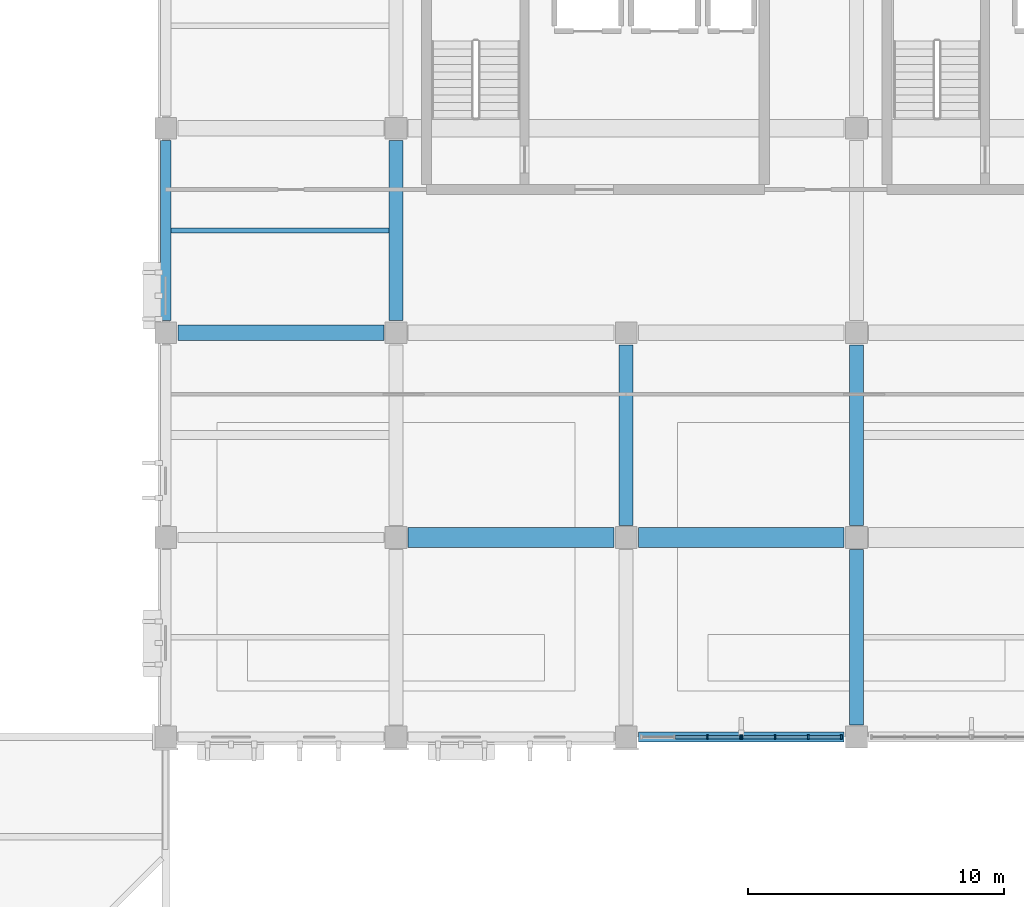
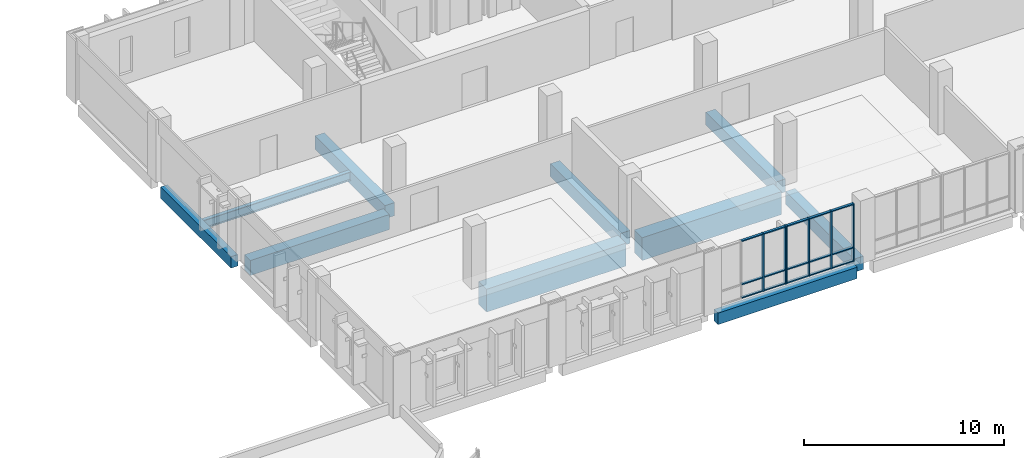
# One storey, part 29 of 85: 21 members, 10 beams, 2 elements without a shape of their own.
"""IFC4 building model written with IfcOpenShell, lengths in metres."""

from ifc_helpers import new_model, si_unit, direction, frame, origin, origin_2d, place, context, subcontext, project, spatial, rectangle, i_section, extrude, material, material_profile, profile_set, type_object, element, aggregate, save


model = new_model("IFC4")

# Units and contexts
model_context = context("Model", 3, precision=1e-05, world=origin(), true_north=direction((0.0, 1.0)))
body_context = subcontext(model_context, "Body", "Model", "MODEL_VIEW")
ifc_project = project(units=[si_unit("LENGTHUNIT", "METRE"), si_unit("AREAUNIT", "SQUARE_METRE"), si_unit("VOLUMEUNIT", "CUBIC_METRE"), si_unit("PLANEANGLEUNIT", "RADIAN"), si_unit("MASSUNIT", "GRAM", prefix="KILO")], contexts=[model_context])

# Site, building, storey
site_placement = place(None, origin())
site = spatial("IfcSite", under=ifc_project, at=site_placement, CompositionType="ELEMENT")
building_placement = place(site_placement, origin())
building = spatial("IfcBuilding", under=site, at=building_placement, Name="Vervanel Yard Central Library", CompositionType="ELEMENT")
storey_placement = place(building_placement, frame((0.0, 0.0, 5.10009765625)))
storey = spatial("IfcBuildingStorey", under=building, at=storey_placement, Name="L01", CompositionType="ELEMENT", Elevation=5.10009765625)

# Beams
ifc_material_1 = material(Name="Concrete C40/50", Category="concrete")
ifc_material_profile_1 = material_profile(ifc_material_1, rectangle(XDim=0.39990234375, YDim=0.699951171875, at=origin_2d()), Name="RC 400x700", Category="concrete")
ifc_profile_set_1 = profile_set([ifc_material_profile_1], Name="Concrete C40/50")
beam_type_1 = type_object("IfcBeamType", Name="Concrete Perimeter Spandrel 400x700", PredefinedType="SPANDREL", material=ifc_profile_set_1)
beam_1_placement = place(storey_placement, frame((54.47509765625, 82.199951171875, -0.655029296875), z_axis=(1.0, 0.0, 0.0), x_axis=(0.0, 1.0, 0.0)))
element("IfcBeam", 1, at=beam_1_placement, inside=storey, type_object=beam_type_1, Name="L01 Girder SP-01 Y=82.2 X=54.0-63.0", PredefinedType="SPANDREL", context=body_context, shape_type="SweptSolid", body=[
    extrude(rectangle(XDim=0.39990234375, YDim=0.699951171875, at=origin_2d()), origin(), (0.0, 0.0, 1.0), 8.0498046875),
])
beam_2_placement = place(storey_placement, frame((36.0, 98.47509765625, -0.655029296875), z_axis=(0.0, 1.0, 0.0), x_axis=(-1.0, 0.0, 0.0)))
element("IfcBeam", 2, at=beam_2_placement, inside=storey, type_object=beam_type_1, Name="L01 Girder SP-01 X=36.0 Y=98.0-106.0", PredefinedType="SPANDREL", context=body_context, shape_type="SweptSolid", body=[
    extrude(rectangle(XDim=0.39990234375, YDim=0.699951171875, at=origin_2d()), origin(), (0.0, 0.0, 1.0), 7.0498046875),
])
ifc_material_profile_2 = material_profile(ifc_material_1, rectangle(XDim=0.550048828125, YDim=0.800048828125, at=origin_2d()), Name="RC 550x800", Category="concrete")
ifc_profile_set_2 = profile_set([ifc_material_profile_2], Name="Concrete C40/50")
beam_type_2 = type_object("IfcBeamType", Name="Concrete Primary Girder 550x800", PredefinedType="BEAM", material=ifc_profile_set_2)
for number, where, z_axis, x_axis, name in (
    (3, (45.0, 98.47509765625, -0.705078125), (0.0, 1.0, 0.0), (-1.0, 0.0, 0.0), "L01 Girder CB-02 X=45.0 Y=98.0-106.0"),
    (4, (54.0, 90.47509765625, -0.705078125), (0.0, 1.0, 0.0), (-1.0, 0.0, 0.0), "L01 Girder CB-02 X=54.0 Y=90.0-98.0"),
):
    element("IfcBeam", number, at=place(storey_placement, frame(where, z_axis=z_axis, x_axis=x_axis)), inside=storey, type_object=beam_type_2, Name=name, PredefinedType="BEAM", context=body_context, shape_type="SweptSolid", body=[
        extrude(rectangle(XDim=0.550048828125, YDim=0.800048828125, at=origin_2d()), origin(), (0.0, 0.0, 1.0), 7.0498046875),
    ])
beam_3_placement = place(storey_placement, frame((63.0, 82.675048828125, -0.705078125), z_axis=(0.0, 1.0, 0.0), x_axis=(-1.0, 0.0, 0.0)))
element("IfcBeam", 5, at=beam_3_placement, inside=storey, type_object=beam_type_2, Name="L01 Girder CB-02 X=63.0 Y=82.2-90.0", PredefinedType="BEAM", context=body_context, shape_type="SweptSolid", body=[
    extrude(rectangle(XDim=0.550048828125, YDim=0.800048828125, at=origin_2d()), origin(), (0.0, 0.0, 1.0), 6.849853515625),
])
beam_4_placement = place(storey_placement, frame((63.0, 90.47509765625, -0.705078125), z_axis=(0.0, 1.0, 0.0), x_axis=(-1.0, 0.0, 0.0)))
element("IfcBeam", 6, at=beam_4_placement, inside=storey, type_object=beam_type_2, Name="L01 Girder CB-02 X=63.0 Y=90.0-98.0", PredefinedType="BEAM", context=body_context, shape_type="SweptSolid", body=[
    extrude(rectangle(XDim=0.550048828125, YDim=0.800048828125, at=origin_2d()), origin(), (0.0, 0.0, 1.0), 7.0498046875),
])
ifc_material_2 = material(Name="Concrete C45/55", Category="concrete")
ifc_material_profile_3 = material_profile(ifc_material_2, rectangle(XDim=0.60009765625, YDim=0.919921875, at=origin_2d()), Name="RC 600x920", Category="concrete")
ifc_profile_set_3 = profile_set([ifc_material_profile_3], Name="Concrete C45/55")
beam_type_3 = type_object("IfcBeamType", Name="Concrete Stack Girder 600x920", PredefinedType="BEAM", material=ifc_profile_set_3)
beam_5_placement = place(storey_placement, frame((36.47509765625, 98.0, -0.76513671875), z_axis=(1.0, 0.0, 0.0), x_axis=(0.0, 1.0, 0.0)))
element("IfcBeam", 7, at=beam_5_placement, inside=storey, type_object=beam_type_3, Name="L01 Girder CB-07 Y=98.0 X=36.0-45.0", PredefinedType="BEAM", context=body_context, shape_type="SweptSolid", body=[
    extrude(rectangle(XDim=0.60009765625, YDim=0.919921875, at=origin_2d()), origin(), (0.0, 0.0, 1.0), 8.0498046875),
])
ifc_material_profile_4 = material_profile(ifc_material_2, rectangle(XDim=0.800048828125, YDim=1.39990234375, at=origin_2d()), Name="RC 800x1400", Category="concrete")
ifc_profile_set_4 = profile_set([ifc_material_profile_4], Name="Concrete C45/55")
beam_type_4 = type_object("IfcBeamType", Name="Concrete Vault Transfer Girder 800x1400", PredefinedType="BEAM", material=ifc_profile_set_4)
for number, where, z_axis, x_axis, name in (
    (8, (45.47509765625, 90.0, -1.0), (1.0, 0.0, 0.0), (0.0, 1.0, 0.0), "L01 Heavy Stack Girder TG-02-1"),
    (9, (54.47509765625, 90.0, -1.0), (1.0, 0.0, 0.0), (0.0, 1.0, 0.0), "L01 Heavy Stack Girder TG-02-2"),
):
    element("IfcBeam", number, at=place(storey_placement, frame(where, z_axis=z_axis, x_axis=x_axis)), inside=storey, type_object=beam_type_4, Name=name, PredefinedType="BEAM", context=body_context, shape_type="SweptSolid", body=[
        extrude(rectangle(XDim=0.800048828125, YDim=1.39990234375, at=origin_2d()), origin(), (0.0, 0.0, 1.0), 8.0498046875),
    ])

# Curtain wall, members
ifc_material_3 = material(Name="Thermally broken anodized aluminium 6063-T6", Category="aluminium")
curtain_wall_type = type_object("IfcCurtainWallType", Name="Atrium Courtyard Curtain Wall", PredefinedType="NOTDEFINED", material=ifc_material_3)
curtain_wall_1_placement = place(storey_placement, origin())
curtain_wall_1 = element("IfcCurtainWall", 10, at=curtain_wall_1_placement, inside=storey, type_object=curtain_wall_type, Name="L01 Atrium Courtyard Curtain Wall CWR-L01-001", PredefinedType="NOTDEFINED")
ifc_material_profile_5 = material_profile(ifc_material_3, rectangle(XDim=0.06494140625, YDim=0.18994140625, at=origin_2d()), Name="ALU 65x190", Category="aluminium")
ifc_profile_set_5 = profile_set([ifc_material_profile_5], Name="Thermally broken anodized aluminium 6063-T6")
member_type_1 = type_object("IfcMemberType", Name="Curtain Wall Primary Mullion 65x190", PredefinedType="MULLION", material=ifc_profile_set_5)
member_1_placement = place(storey_placement, frame((57.17578125, 82.199951171875, 0.0), z_axis=(0.0, 0.0, 1.0), x_axis=(1.0, 0.0, 0.0)))
member_1 = element("IfcMember", 11, at=member_1_placement, type_object=member_type_1, Name="CWR-L01-001 Mullion 3", PredefinedType="MULLION", context=body_context, shape_type="SweptSolid", body=[
    extrude(rectangle(XDim=0.06494140625, YDim=0.18994140625, at=origin_2d()), origin(), (0.0, 0.0, 1.0), 3.52978515625),
])
member_2_placement = place(storey_placement, frame((58.467529296875, 82.199951171875, 0.0), z_axis=(0.0, 0.0, 1.0), x_axis=(1.0, 0.0, 0.0)))
member_2 = element("IfcMember", 12, at=member_2_placement, type_object=member_type_1, Name="CWR-L01-001 Mullion 4", PredefinedType="MULLION", context=body_context, shape_type="SweptSolid", body=[
    extrude(rectangle(XDim=0.06494140625, YDim=0.18994140625, at=origin_2d()), origin(), (0.0, 0.0, 1.0), 3.52978515625),
])

curtain_wall_2_placement = place(storey_placement, origin())
curtain_wall_2 = element("IfcCurtainWall", 13, at=curtain_wall_2_placement, inside=storey, type_object=curtain_wall_type, Name="L01 Atrium Courtyard Curtain Wall CWR-L01-002", PredefinedType="NOTDEFINED")
member_3_placement = place(storey_placement, frame((58.532470703125, 82.199951171875, 0.0), z_axis=(0.0, 0.0, 1.0), x_axis=(1.0, 0.0, 0.0)))
member_3 = element("IfcMember", 14, at=member_3_placement, type_object=member_type_1, Name="CWR-L01-002 Mullion 1", PredefinedType="MULLION", context=body_context, shape_type="SweptSolid", body=[
    extrude(rectangle(XDim=0.06494140625, YDim=0.18994140625, at=origin_2d()), origin(), (0.0, 0.0, 1.0), 3.52978515625),
])
member_4_placement = place(storey_placement, frame((59.82421875, 82.199951171875, 0.0), z_axis=(0.0, 0.0, 1.0), x_axis=(1.0, 0.0, 0.0)))
member_4 = element("IfcMember", 15, at=member_4_placement, type_object=member_type_1, Name="CWR-L01-002 Mullion 2", PredefinedType="MULLION", context=body_context, shape_type="SweptSolid", body=[
    extrude(rectangle(XDim=0.06494140625, YDim=0.18994140625, at=origin_2d()), origin(), (0.0, 0.0, 1.0), 3.52978515625),
])
member_5_placement = place(storey_placement, frame((61.11572265625, 82.199951171875, 0.0), z_axis=(0.0, 0.0, 1.0), x_axis=(1.0, 0.0, 0.0)))
member_5 = element("IfcMember", 16, at=member_5_placement, type_object=member_type_1, Name="CWR-L01-002 Mullion 3", PredefinedType="MULLION", context=body_context, shape_type="SweptSolid", body=[
    extrude(rectangle(XDim=0.06494140625, YDim=0.18994140625, at=origin_2d()), origin(), (0.0, 0.0, 1.0), 3.52978515625),
])
member_6_placement = place(storey_placement, frame((62.407470703125, 82.199951171875, 0.0), z_axis=(0.0, 0.0, 1.0), x_axis=(1.0, 0.0, 0.0)))
member_6 = element("IfcMember", 17, at=member_6_placement, type_object=member_type_1, Name="CWR-L01-002 Mullion 4", PredefinedType="MULLION", context=body_context, shape_type="SweptSolid", body=[
    extrude(rectangle(XDim=0.06494140625, YDim=0.18994140625, at=origin_2d()), origin(), (0.0, 0.0, 1.0), 3.52978515625),
])

# Member
ifc_material_profile_6 = material_profile(ifc_material_3, rectangle(XDim=0.06494140625, YDim=0.139892578125, at=origin_2d()), Name="ALU 65x140", Category="aluminium")
ifc_profile_set_6 = profile_set([ifc_material_profile_6], Name="Thermally broken anodized aluminium 6063-T6")
member_type_2 = type_object("IfcMemberType", Name="Curtain Wall Transom 65x140", PredefinedType="NOTDEFINED", material=ifc_profile_set_6)
member_7_placement = place(storey_placement, frame((55.916748046875, 82.199951171875, 0.032470703125), z_axis=(1.0, 0.0, 0.0), x_axis=(0.0, 0.0, 1.0)))
member_7 = element("IfcMember", 18, at=member_7_placement, type_object=member_type_2, Name="CWR-L01-001 Transom B2-T1", ObjectType="TRANSOM", PredefinedType="USERDEFINED", context=body_context, shape_type="SweptSolid", body=[
    extrude(rectangle(XDim=0.06494140625, YDim=0.139892578125, at=origin_2d()), origin(), (0.0, 0.0, 1.0), 1.2265625),
])

member_8_placement = place(storey_placement, frame((55.916748046875, 82.199951171875, 0.849853515625), z_axis=(1.0, 0.0, 0.0), x_axis=(0.0, 0.0, 1.0)))
member_8 = element("IfcMember", 19, at=member_8_placement, type_object=member_type_2, Name="CWR-L01-001 Transom B2-T2", ObjectType="TRANSOM", PredefinedType="USERDEFINED", context=body_context, shape_type="SweptSolid", body=[
    extrude(rectangle(XDim=0.06494140625, YDim=0.139892578125, at=origin_2d()), origin(), (0.0, 0.0, 1.0), 1.2265625),
])

member_9_placement = place(storey_placement, frame((55.916748046875, 82.199951171875, 3.497314453125), z_axis=(1.0, 0.0, 0.0), x_axis=(0.0, 0.0, 1.0)))
member_9 = element("IfcMember", 20, at=member_9_placement, type_object=member_type_2, Name="CWR-L01-001 Transom B2-T3", ObjectType="TRANSOM", PredefinedType="USERDEFINED", context=body_context, shape_type="SweptSolid", body=[
    extrude(rectangle(XDim=0.06494140625, YDim=0.139892578125, at=origin_2d()), origin(), (0.0, 0.0, 1.0), 1.2265625),
])

member_10_placement = place(storey_placement, frame((57.208251953125, 82.199951171875, 0.032470703125), z_axis=(1.0, 0.0, 0.0), x_axis=(0.0, 0.0, 1.0)))
member_10 = element("IfcMember", 21, at=member_10_placement, type_object=member_type_2, Name="CWR-L01-001 Transom B3-T1", ObjectType="TRANSOM", PredefinedType="USERDEFINED", context=body_context, shape_type="SweptSolid", body=[
    extrude(rectangle(XDim=0.06494140625, YDim=0.139892578125, at=origin_2d()), origin(), (0.0, 0.0, 1.0), 1.226806640625),
])

member_11_placement = place(storey_placement, frame((57.208251953125, 82.199951171875, 0.849853515625), z_axis=(1.0, 0.0, 0.0), x_axis=(0.0, 0.0, 1.0)))
member_11 = element("IfcMember", 22, at=member_11_placement, type_object=member_type_2, Name="CWR-L01-001 Transom B3-T2", ObjectType="TRANSOM", PredefinedType="USERDEFINED", context=body_context, shape_type="SweptSolid", body=[
    extrude(rectangle(XDim=0.06494140625, YDim=0.139892578125, at=origin_2d()), origin(), (0.0, 0.0, 1.0), 1.226806640625),
])

member_12_placement = place(storey_placement, frame((57.208251953125, 82.199951171875, 3.497314453125), z_axis=(1.0, 0.0, 0.0), x_axis=(0.0, 0.0, 1.0)))
member_12 = element("IfcMember", 23, at=member_12_placement, type_object=member_type_2, Name="CWR-L01-001 Transom B3-T3", ObjectType="TRANSOM", PredefinedType="USERDEFINED", context=body_context, shape_type="SweptSolid", body=[
    extrude(rectangle(XDim=0.06494140625, YDim=0.139892578125, at=origin_2d()), origin(), (0.0, 0.0, 1.0), 1.226806640625),
])

aggregate(curtain_wall_1, [member_1, member_2, member_7, member_8, member_9, member_10, member_11, member_12])

member_13_placement = place(storey_placement, frame((58.56494140625, 82.199951171875, 0.032470703125), z_axis=(1.0, 0.0, 0.0), x_axis=(0.0, 0.0, 1.0)))
member_13 = element("IfcMember", 24, at=member_13_placement, type_object=member_type_2, Name="CWR-L01-002 Transom B1-T1", ObjectType="TRANSOM", PredefinedType="USERDEFINED", context=body_context, shape_type="SweptSolid", body=[
    extrude(rectangle(XDim=0.06494140625, YDim=0.139892578125, at=origin_2d()), origin(), (0.0, 0.0, 1.0), 1.226806640625),
])

member_14_placement = place(storey_placement, frame((58.56494140625, 82.199951171875, 0.849853515625), z_axis=(1.0, 0.0, 0.0), x_axis=(0.0, 0.0, 1.0)))
member_14 = element("IfcMember", 25, at=member_14_placement, type_object=member_type_2, Name="CWR-L01-002 Transom B1-T2", ObjectType="TRANSOM", PredefinedType="USERDEFINED", context=body_context, shape_type="SweptSolid", body=[
    extrude(rectangle(XDim=0.06494140625, YDim=0.139892578125, at=origin_2d()), origin(), (0.0, 0.0, 1.0), 1.226806640625),
])

member_15_placement = place(storey_placement, frame((58.56494140625, 82.199951171875, 3.497314453125), z_axis=(1.0, 0.0, 0.0), x_axis=(0.0, 0.0, 1.0)))
member_15 = element("IfcMember", 26, at=member_15_placement, type_object=member_type_2, Name="CWR-L01-002 Transom B1-T3", ObjectType="TRANSOM", PredefinedType="USERDEFINED", context=body_context, shape_type="SweptSolid", body=[
    extrude(rectangle(XDim=0.06494140625, YDim=0.139892578125, at=origin_2d()), origin(), (0.0, 0.0, 1.0), 1.226806640625),
])

member_16_placement = place(storey_placement, frame((59.856689453125, 82.199951171875, 0.032470703125), z_axis=(1.0, 0.0, 0.0), x_axis=(0.0, 0.0, 1.0)))
member_16 = element("IfcMember", 27, at=member_16_placement, type_object=member_type_2, Name="CWR-L01-002 Transom B2-T1", ObjectType="TRANSOM", PredefinedType="USERDEFINED", context=body_context, shape_type="SweptSolid", body=[
    extrude(rectangle(XDim=0.06494140625, YDim=0.139892578125, at=origin_2d()), origin(), (0.0, 0.0, 1.0), 1.2265625),
])

member_17_placement = place(storey_placement, frame((59.856689453125, 82.199951171875, 0.849853515625), z_axis=(1.0, 0.0, 0.0), x_axis=(0.0, 0.0, 1.0)))
member_17 = element("IfcMember", 28, at=member_17_placement, type_object=member_type_2, Name="CWR-L01-002 Transom B2-T2", ObjectType="TRANSOM", PredefinedType="USERDEFINED", context=body_context, shape_type="SweptSolid", body=[
    extrude(rectangle(XDim=0.06494140625, YDim=0.139892578125, at=origin_2d()), origin(), (0.0, 0.0, 1.0), 1.2265625),
])

member_18_placement = place(storey_placement, frame((59.856689453125, 82.199951171875, 3.497314453125), z_axis=(1.0, 0.0, 0.0), x_axis=(0.0, 0.0, 1.0)))
member_18 = element("IfcMember", 29, at=member_18_placement, type_object=member_type_2, Name="CWR-L01-002 Transom B2-T3", ObjectType="TRANSOM", PredefinedType="USERDEFINED", context=body_context, shape_type="SweptSolid", body=[
    extrude(rectangle(XDim=0.06494140625, YDim=0.139892578125, at=origin_2d()), origin(), (0.0, 0.0, 1.0), 1.2265625),
])

member_19_placement = place(storey_placement, frame((61.1484375, 82.199951171875, 0.032470703125), z_axis=(1.0, 0.0, 0.0), x_axis=(0.0, 0.0, 1.0)))
member_19 = element("IfcMember", 30, at=member_19_placement, type_object=member_type_2, Name="CWR-L01-002 Transom B3-T1", ObjectType="TRANSOM", PredefinedType="USERDEFINED", context=body_context, shape_type="SweptSolid", body=[
    extrude(rectangle(XDim=0.06494140625, YDim=0.139892578125, at=origin_2d()), origin(), (0.0, 0.0, 1.0), 1.2265625),
])

member_20_placement = place(storey_placement, frame((61.1484375, 82.199951171875, 0.849853515625), z_axis=(1.0, 0.0, 0.0), x_axis=(0.0, 0.0, 1.0)))
member_20 = element("IfcMember", 31, at=member_20_placement, type_object=member_type_2, Name="CWR-L01-002 Transom B3-T2", ObjectType="TRANSOM", PredefinedType="USERDEFINED", context=body_context, shape_type="SweptSolid", body=[
    extrude(rectangle(XDim=0.06494140625, YDim=0.139892578125, at=origin_2d()), origin(), (0.0, 0.0, 1.0), 1.2265625),
])

member_21_placement = place(storey_placement, frame((61.1484375, 82.199951171875, 3.497314453125), z_axis=(1.0, 0.0, 0.0), x_axis=(0.0, 0.0, 1.0)))
member_21 = element("IfcMember", 32, at=member_21_placement, type_object=member_type_2, Name="CWR-L01-002 Transom B3-T3", ObjectType="TRANSOM", PredefinedType="USERDEFINED", context=body_context, shape_type="SweptSolid", body=[
    extrude(rectangle(XDim=0.06494140625, YDim=0.139892578125, at=origin_2d()), origin(), (0.0, 0.0, 1.0), 1.2265625),
])

aggregate(curtain_wall_2, [member_3, member_4, member_5, member_6, member_13, member_14, member_15, member_16, member_17, member_18, member_19, member_20, member_21])

# Beam
ifc_material_4 = material(Name="Steel ASTM A992 Grade 50", Category="steel")
ifc_material_profile_7 = material_profile(ifc_material_4, i_section(OverallWidth=0.2099609375, OverallDepth=0.535888671875, WebThickness=0.010986328125, FlangeThickness=0.017333984375, at=origin_2d()), Name="W21X68", Category="steel")
ifc_profile_set_7 = profile_set([ifc_material_profile_7], Name="Steel ASTM A992 Grade 50")
beam_type_5 = type_object("IfcBeamType", Name="Steel Stack Floor Joist W21X68", PredefinedType="JOIST", material=ifc_profile_set_7)
beam_6_placement = place(storey_placement, frame((36.199951171875, 102.0, -0.572998046875), z_axis=(1.0, 0.0, 0.0), x_axis=(0.0, 1.0, 0.0)))
element("IfcBeam", 33, at=beam_6_placement, inside=storey, type_object=beam_type_5, Name="L01 Floor Joist SJ-04 Y=102.00 X=36.0-45.0", PredefinedType="JOIST", context=body_context, shape_type="SweptSolid", body=[
    extrude(i_section(OverallWidth=0.2099609375, OverallDepth=0.535888671875, WebThickness=0.010986328125, FlangeThickness=0.017333984375, at=origin_2d()), origin(), (0.0, 0.0, 1.0), 8.525146484375),
])

save(model, "model.ifc")
